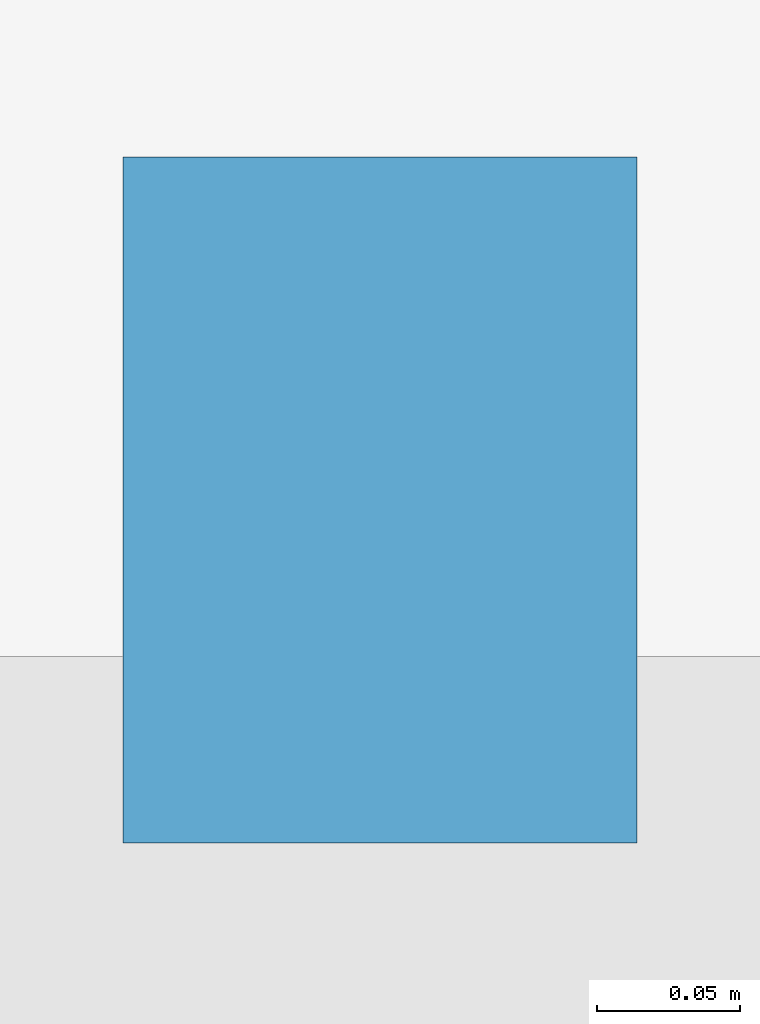
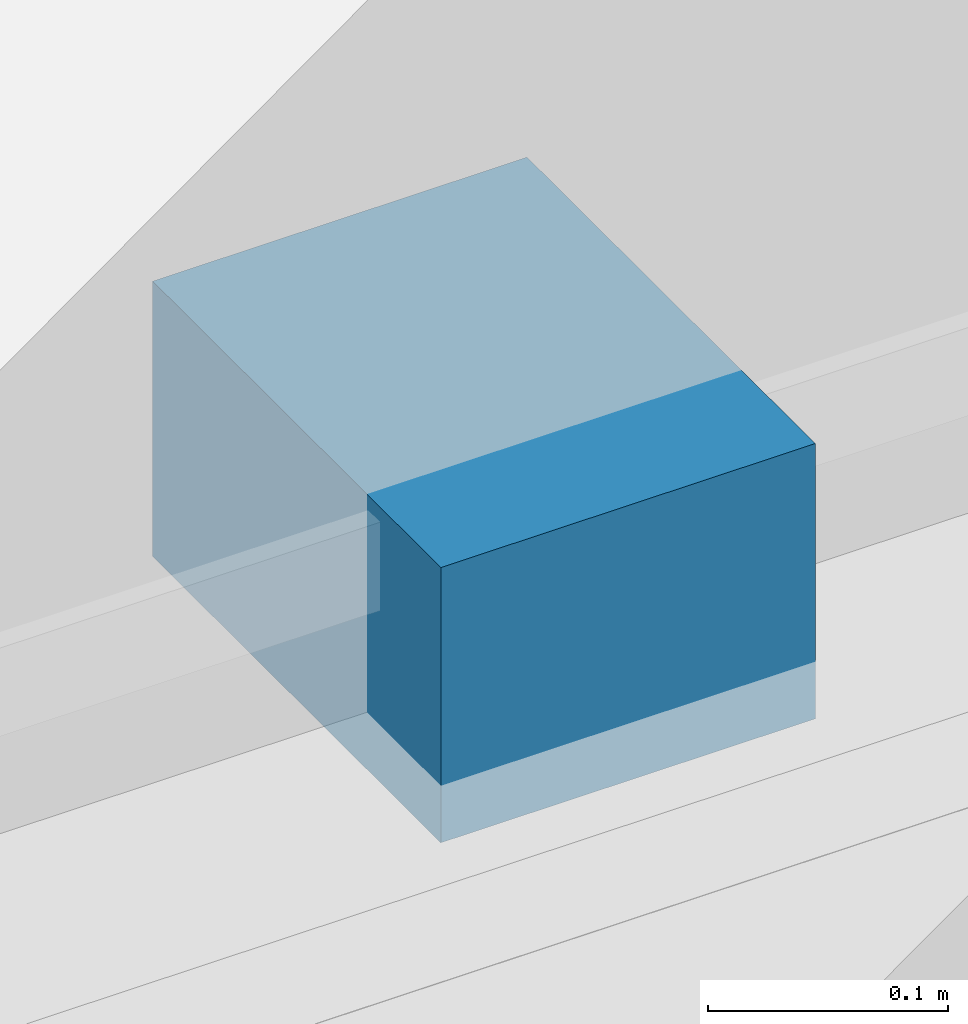
# One storey, part 99 of 105: 1 discrete accessory.
"""IFC4 building model written with IfcOpenShell, lengths in metres."""

from ifc_helpers import new_model, si_unit, direction, frame, origin, origin_2d, place, context, subcontext, project, spatial, rectangle, extrude, material, type_object, element, save


model = new_model("IFC4")

# Units and contexts
model_context = context("Model", 3, precision=1e-05, world=origin(), true_north=direction((0.0, 1.0)))
body_context = subcontext(model_context, "Body", "Model", "MODEL_VIEW")
ifc_project = project(units=[si_unit("LENGTHUNIT", "METRE"), si_unit("AREAUNIT", "SQUARE_METRE"), si_unit("VOLUMEUNIT", "CUBIC_METRE"), si_unit("PLANEANGLEUNIT", "RADIAN"), si_unit("MASSUNIT", "GRAM", prefix="KILO")], contexts=[model_context])

# Site, building, storey
site_placement = place(None, origin())
site = spatial("IfcSite", under=ifc_project, at=site_placement, CompositionType="ELEMENT")
building_placement = place(site_placement, origin())
building = spatial("IfcBuilding", under=site, at=building_placement, Name="Pelvatis Terrace Science Centre", CompositionType="ELEMENT")
storey_placement = place(building_placement, frame((0.0, 0.0, 10.199951171875)))
storey = spatial("IfcBuildingStorey", under=building, at=storey_placement, Name="L02", CompositionType="ELEMENT", Elevation=10.199951171875)

# Discrete accessory
ifc_material = material(Name="Structural steel S355", Category="steel")
discrete_accessory_type = type_object("IfcDiscreteAccessoryType", Name="BRK-STL-01", PredefinedType="BRACKET", material=ifc_material)
discrete_accessory_placement = place(storey_placement, frame((142.780029296875, 109.014892578125, 2.949951171875)))
element("IfcDiscreteAccessory", 1, at=discrete_accessory_placement, inside=storey, type_object=discrete_accessory_type, Name="Facade shading bracket BRK-WIN-L02-084", PredefinedType="BRACKET", context=body_context, shape_type="SweptSolid", body=[
    extrude(rectangle(XDim=0.18, YDim=0.24, at=origin_2d()), origin(), (0.0, 0.0, 1.0), 0.139892578125),
])

save(model, "model.ifc")
